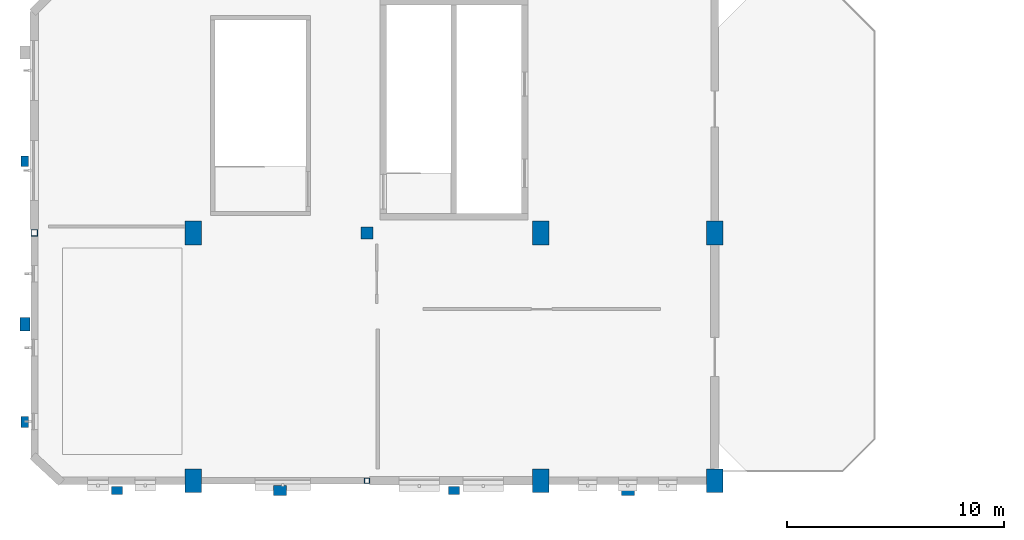
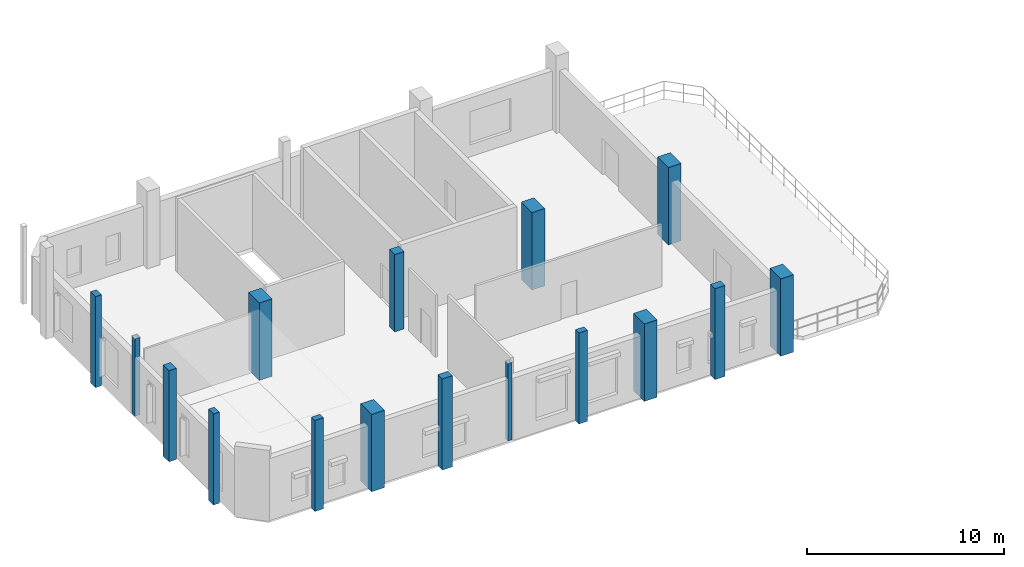
# One storey, part 1 of 28: 16 columns.
"""IFC4 building model written with IfcOpenShell, lengths in metres."""

from ifc_helpers import new_model, si_unit, direction, frame, origin, origin_2d, place, context, subcontext, project, spatial, rectangle, hollow_rectangle, extrude, material, material_profile, profile_set, type_object, element, save


model = new_model("IFC4")

# Units and contexts
model_context = context("Model", 3, precision=1e-05, world=origin(), true_north=direction((0.0, 1.0)))
body_context = subcontext(model_context, "Body", "Model", "MODEL_VIEW")
ifc_project = project(units=[si_unit("LENGTHUNIT", "METRE"), si_unit("AREAUNIT", "SQUARE_METRE"), si_unit("VOLUMEUNIT", "CUBIC_METRE"), si_unit("PLANEANGLEUNIT", "RADIAN"), si_unit("MASSUNIT", "GRAM", prefix="KILO"), si_unit("POWERUNIT", "WATT"), si_unit("THERMODYNAMICTEMPERATUREUNIT", "KELVIN")], contexts=[model_context])

# Site, building, storey
site_placement = place(None, origin())
site = spatial("IfcSite", under=ifc_project, at=site_placement, CompositionType="ELEMENT")
building_placement = place(site_placement, origin())
building = spatial("IfcBuilding", under=site, at=building_placement, Name="Kelmbourne Parkland Aquatics Centre", CompositionType="ELEMENT")
storey_placement = place(building_placement, frame((0.0, 0.0, 19.199951171875)))
storey = spatial("IfcBuildingStorey", under=building, at=storey_placement, Name="L04", CompositionType="ELEMENT", Elevation=19.199951171875)

# Columns
ifc_material_1 = material(Name="Concrete C40/50", Category="concrete")
ifc_material_profile_1 = material_profile(ifc_material_1, rectangle(XDim=0.75, YDim=1.10009765625, at=origin_2d()), Name="RC 750x1100")
ifc_profile_set_1 = profile_set([ifc_material_profile_1], Name="Concrete C40/50")
column_type_1 = type_object("IfcColumnType", Name="COL-C03", PredefinedType="COLUMN", material=ifc_profile_set_1)
for number, where, z_axis, x_axis, name in (
    (1, (8.0, 0.800048828125, 0.0), (0.0, 0.0, 1.0), (1.0, 0.0, 0.0), "Structural column B-01 (L04)"),
    (2, (8.0, 12.199951171875, 0.0), (0.0, 0.0, 1.0), (1.0, 0.0, 0.0), "Structural column B-03 (L04)"),
    (3, (24.0, 0.800048828125, 0.0), (0.0, 0.0, 1.0), (1.0, 0.0, 0.0), "Structural column D-01 (L04)"),
    (4, (24.0, 12.199951171875, 0.0), (0.0, 0.0, 1.0), (1.0, 0.0, 0.0), "Structural column D-03 (L04)"),
    (5, (32.0, 0.800048828125, 0.0), (0.0, 0.0, 1.0), (1.0, 0.0, 0.0), "Structural column E-01 (L04)"),
    (6, (32.0, 12.199951171875, 0.0), (0.0, 0.0, 1.0), (1.0, 0.0, 0.0), "Structural column E-03 (L04)"),
):
    element("IfcColumn", number, at=place(storey_placement, frame(where, z_axis=z_axis, x_axis=x_axis)), inside=storey, type_object=column_type_1, Name=name, PredefinedType="COLUMN", context=body_context, shape_type="SweptSolid", body=[
        extrude(rectangle(XDim=0.75, YDim=1.10009765625, at=origin_2d()), origin(), (0.0, 0.0, 1.0), 4.800048828125),
    ])
ifc_material_profile_2 = material_profile(ifc_material_1, rectangle(XDim=0.550048828125, YDim=0.550048828125, at=origin_2d()), Name="RC 550x550")
ifc_profile_set_2 = profile_set([ifc_material_profile_2], Name="Concrete C40/50")
column_type_2 = type_object("IfcColumnType", Name="COL-C07", PredefinedType="COLUMN", material=ifc_profile_set_2)
column_1_placement = place(storey_placement, frame((16.0, 12.199951171875, 0.0), z_axis=(0.0, 0.0, 1.0), x_axis=(1.0, 0.0, 0.0)))
element("IfcColumn", 7, at=column_1_placement, inside=storey, type_object=column_type_2, Name="Structural column C-03 (L04)", PredefinedType="COLUMN", context=body_context, shape_type="SweptSolid", body=[
    extrude(rectangle(XDim=0.550048828125, YDim=0.550048828125, at=origin_2d()), origin(), (0.0, 0.0, 1.0), 4.800048828125),
])
ifc_material_2 = material(Name="Cold-formed hollow steel AS/NZS 1163 C350L0", Category="steel")
ifc_material_profile_3 = material_profile(ifc_material_2, hollow_rectangle(XDim=0.300048828125, YDim=0.300048828125, WallThickness=0.012451171875, at=origin_2d()), Name="SHS 300x300x12.5")
ifc_profile_set_3 = profile_set([ifc_material_profile_3], Name="Cold-formed hollow steel AS/NZS 1163 C350L0")
column_type_3 = type_object("IfcColumnType", Name="COL-C22", PredefinedType="COLUMN", material=ifc_profile_set_3)
column_2_placement = place(storey_placement, frame((0.699951171875, 12.199951171875, 0.0), z_axis=(0.0, 0.0, 1.0), x_axis=(1.0, 0.0, 0.0)))
element("IfcColumn", 8, at=column_2_placement, inside=storey, type_object=column_type_3, Name="Structural column A-03 (L04)", PredefinedType="COLUMN", context=body_context, shape_type="SweptSolid", body=[
    extrude(hollow_rectangle(XDim=0.300048828125, YDim=0.300048828125, WallThickness=0.012451171875, at=origin_2d()), origin(), (0.0, 0.0, 1.0), 4.800048828125),
])
ifc_material_profile_4 = material_profile(ifc_material_2, hollow_rectangle(XDim=0.25, YDim=0.25, WallThickness=0.012451171875, at=origin_2d()), Name="SHS 250x250x12.5")
ifc_profile_set_4 = profile_set([ifc_material_profile_4], Name="Cold-formed hollow steel AS/NZS 1163 C350L0")
column_type_4 = type_object("IfcColumnType", Name="COL-C23", PredefinedType="COLUMN", material=ifc_profile_set_4)
column_3_placement = place(storey_placement, frame((16.0, 0.800048828125, 0.0), z_axis=(0.0, 0.0, 1.0), x_axis=(1.0, 0.0, 0.0)))
element("IfcColumn", 9, at=column_3_placement, inside=storey, type_object=column_type_4, Name="Structural column C-01 (L04)", PredefinedType="COLUMN", context=body_context, shape_type="SweptSolid", body=[
    extrude(hollow_rectangle(XDim=0.25, YDim=0.25, WallThickness=0.012451171875, at=origin_2d()), origin(), (0.0, 0.0, 1.0), 4.800048828125),
])
ifc_material_3 = material(Name="Clay brick masonry AS 3700 M12", Category="masonry")
ifc_material_profile_5 = material_profile(ifc_material_3, rectangle(XDim=0.35009765625, YDim=0.5, at=origin_2d()), Name="PIL 350x500")
ifc_profile_set_5 = profile_set([ifc_material_profile_5], Name="Clay brick masonry AS 3700 M12")
column_type_5 = type_object("IfcColumnType", Name="PIL-PL1", PredefinedType="PILASTER", material=ifc_profile_set_5)
for number, where, z_axis, x_axis, name in (
    (10, (0.260009765625, 3.5, 0.0), (0.0, 0.0, 1.0), (1.0, 0.0, 0.0), "Amsterdam School engaged brick buttress W-001 (L04)"),
    (11, (0.260009765625, 15.5, 0.0), (0.0, 0.0, 1.0), (1.0, 0.0, 0.0), "Amsterdam School engaged brick buttress W-003 (L04)"),
    (12, (4.5, 0.35009765625, 0.0), (0.0, 0.0, 1.0), (0.0, 1.0, 0.0), "Amsterdam School engaged brick buttress S-019 (L04)"),
    (13, (20.0, 0.35009765625, 0.0), (0.0, 0.0, 1.0), (0.0, 1.0, 0.0), "Amsterdam School engaged brick buttress S-021 (L04)"),
):
    element("IfcColumn", number, at=place(storey_placement, frame(where, z_axis=z_axis, x_axis=x_axis)), inside=storey, type_object=column_type_5, Name=name, PredefinedType="PILASTER", context=body_context, shape_type="SweptSolid", body=[
        extrude(rectangle(XDim=0.35009765625, YDim=0.5, at=origin_2d()), origin(), (0.0, 0.0, 1.0), 5.650146484375),
    ])
ifc_material_profile_6 = material_profile(ifc_material_3, rectangle(XDim=0.449951171875, YDim=0.60009765625, at=origin_2d()), Name="PIL 450x600")
ifc_profile_set_6 = profile_set([ifc_material_profile_6], Name="Clay brick masonry AS 3700 M12")
column_type_6 = type_object("IfcColumnType", Name="PIL-PL2", PredefinedType="PILASTER", material=ifc_profile_set_6)
for number, where, z_axis, x_axis, name in (
    (14, (0.260009765625, 8.0, 0.0), (0.0, 0.0, 1.0), (1.0, 0.0, 0.0), "Amsterdam School engaged brick buttress W-002 (L04)"),
    (15, (12.0, 0.35009765625, 0.0), (0.0, 0.0, 1.0), (0.0, 1.0, 0.0), "Amsterdam School engaged brick buttress S-020 (L04)"),
    (16, (28.0, 0.35009765625, 0.0), (0.0, 0.0, 1.0), (0.0, 1.0, 0.0), "Amsterdam School engaged brick buttress S-022 (L04)"),
):
    element("IfcColumn", number, at=place(storey_placement, frame(where, z_axis=z_axis, x_axis=x_axis)), inside=storey, type_object=column_type_6, Name=name, PredefinedType="PILASTER", context=body_context, shape_type="SweptSolid", body=[
        extrude(rectangle(XDim=0.449951171875, YDim=0.60009765625, at=origin_2d()), origin(), (0.0, 0.0, 1.0), 5.650146484375),
    ])

save(model, "model.ifc")
